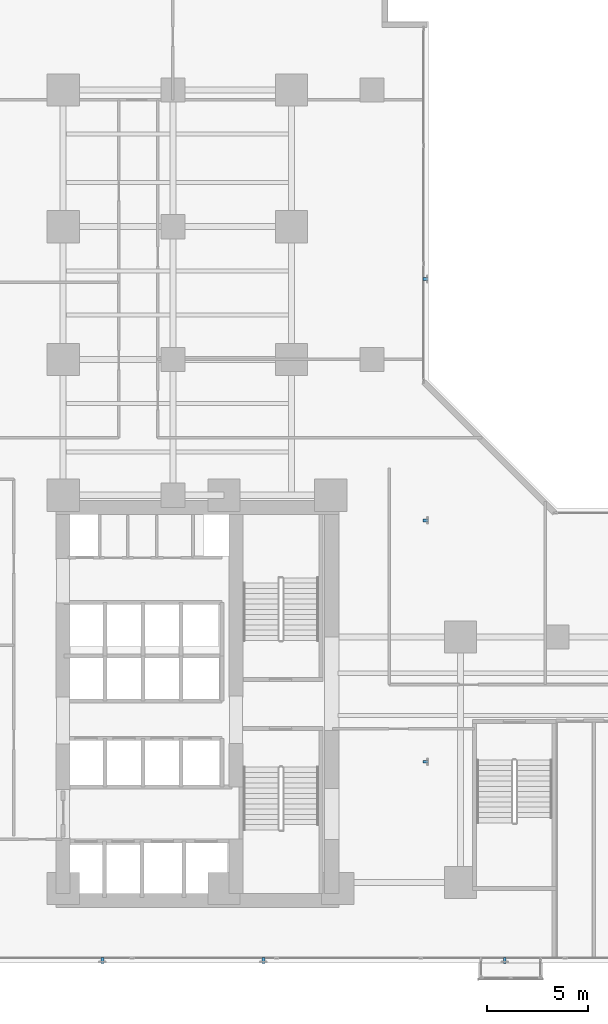
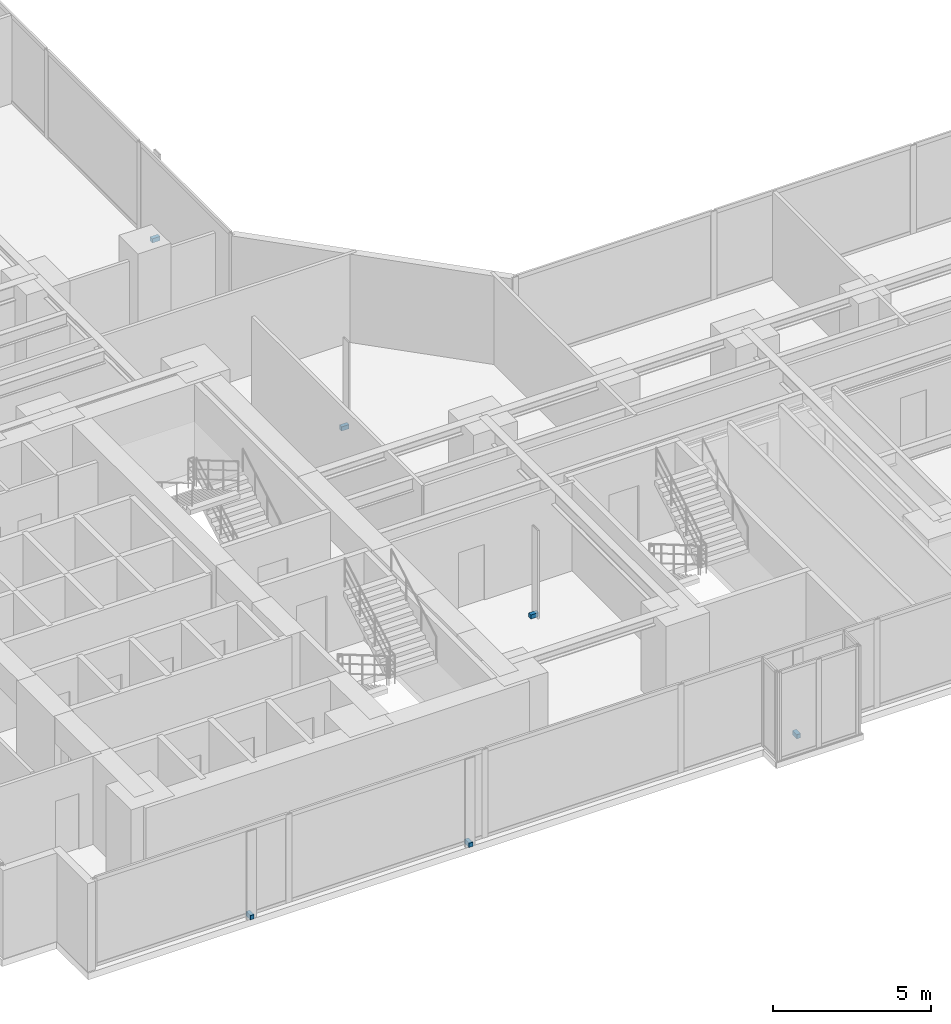
# One storey, part 25 of 28: 6 discrete accessories.
"""IFC4 building model written with IfcOpenShell, lengths in metres."""

from ifc_helpers import new_model, si_unit, direction, frame, origin, origin_with_axes, origin_2d, place, context, subcontext, project, spatial, rectangle, extrude, source, transform, mapped, material, type_object, element, save


model = new_model("IFC4")

# Units and contexts
model_context = context("Model", 3, precision=1e-05, world=origin(), true_north=direction((0.0, 1.0)))
body_context = subcontext(model_context, "Body", "Model", "MODEL_VIEW")
ifc_project = project(units=[si_unit("LENGTHUNIT", "METRE"), si_unit("AREAUNIT", "SQUARE_METRE"), si_unit("VOLUMEUNIT", "CUBIC_METRE"), si_unit("PLANEANGLEUNIT", "RADIAN"), si_unit("MASSUNIT", "GRAM", prefix="KILO")], contexts=[model_context])

# Site, building, storey
site_placement = place(None, origin())
site = spatial("IfcSite", under=ifc_project, at=site_placement, CompositionType="ELEMENT")
building_placement = place(site_placement, origin())
building = spatial("IfcBuilding", under=site, at=building_placement, Name="Kolvaren Waterfront Exchange", CompositionType="ELEMENT")
storey_placement = place(building_placement, frame((0.0, 0.0, 79.0)))
storey = spatial("IfcBuildingStorey", under=building, at=storey_placement, Name="L20", CompositionType="ELEMENT", Elevation=79.0)

# Discrete accessories
ifc_material = material(Name="Stainless steel 316", Category="steel")
discrete_accessory_type = type_object("IfcDiscreteAccessoryType", Name="ARC-BRK-FIN", PredefinedType="BRACKET", material=ifc_material)
shared_shape = source(origin_with_axes(), body_context, "Body", "SweptSolid", [
    extrude(rectangle(XDim=0.280029296875, YDim=0.139892578125, at=origin_2d()), origin(), (0.0, 0.0, 1.0), 0.159912109375),
])
for number, where, z_axis, x_axis, name in (
    (1, (9.39990234375, 1.320068359375, 0.0), (0.0, 0.0, 1.0), (0.0, -1.0, 0.0), "L20 bronze fin anchor bracket FIN-L20-S1"),
    (2, (17.39990234375, 1.320068359375, 0.0), (0.0, 0.0, 1.0), (0.0, -1.0, 0.0), "L20 bronze fin anchor bracket FIN-L20-S2"),
    (3, (29.39990234375, 1.320068359375, 0.0), (0.0, 0.0, 1.0), (0.0, -1.0, 0.0), "L20 bronze fin anchor bracket FIN-L20-S3"),
    (4, (25.47998046875, 11.199951171875, 0.0), (0.0, 0.0, 1.0), (1.0, 0.0, 0.0), "L20 bronze fin anchor bracket FIN-L20-E1"),
    (5, (25.47998046875, 23.199951171875, 0.0), (0.0, 0.0, 1.0), (1.0, 0.0, 0.0), "L20 bronze fin anchor bracket FIN-L20-E2"),
    (6, (25.47998046875, 35.199951171875, 0.0), (0.0, 0.0, 1.0), (1.0, 0.0, 0.0), "L20 bronze fin anchor bracket FIN-L20-E3"),
):
    element("IfcDiscreteAccessory", number, at=place(storey_placement, frame(where, z_axis=z_axis, x_axis=x_axis)), inside=storey, type_object=discrete_accessory_type, Name=name, PredefinedType="BRACKET", context=body_context, shape_type="MappedRepresentation", body=[
        mapped(shared_shape, transform((0.0, 0.0, 0.0), x_axis=(1.0, 0.0, 0.0), y_axis=(0.0, 1.0, 0.0), z_axis=(0.0, 0.0, 1.0), scale=1.0)),
    ])

save(model, "model.ifc")
